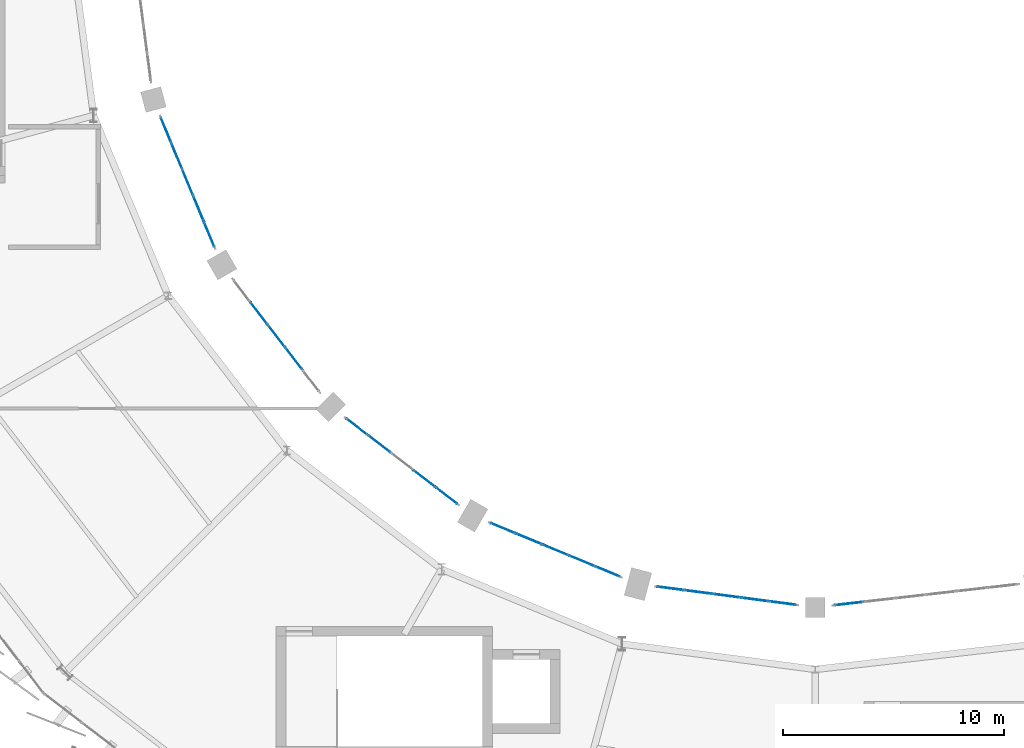
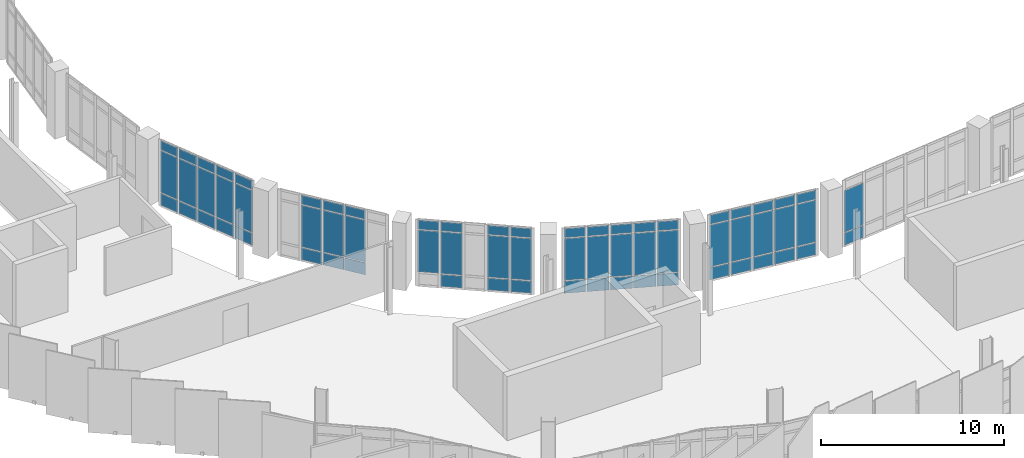
# One storey, part 48 of 67: 67 plates, 6 elements without a shape of their own.
"""IFC4 building model written with IfcOpenShell, lengths in metres."""

from ifc_helpers import new_model, si_unit, direction, frame, origin, origin_2d, place, context, subcontext, project, spatial, rectangle, extrude, material, layer, layer_set, type_object, element, aggregate, save


model = new_model("IFC4")

# Units and contexts
model_context = context("Model", 3, precision=1e-05, world=origin(), true_north=direction((0.0, 1.0)))
body_context = subcontext(model_context, "Body", "Model", "MODEL_VIEW")
ifc_project = project(units=[si_unit("LENGTHUNIT", "METRE"), si_unit("AREAUNIT", "SQUARE_METRE"), si_unit("VOLUMEUNIT", "CUBIC_METRE"), si_unit("PLANEANGLEUNIT", "RADIAN"), si_unit("MASSUNIT", "GRAM", prefix="KILO")], contexts=[model_context])

# Site, building, storey
site_placement = place(None, origin())
site = spatial("IfcSite", under=ifc_project, at=site_placement, CompositionType="ELEMENT")
building_placement = place(site_placement, origin())
building = spatial("IfcBuilding", under=site, at=building_placement, Name="Sohan Crest Arena", CompositionType="ELEMENT")
storey_placement = place(building_placement, frame((0.0, 0.0, 22.5)))
storey = spatial("IfcBuildingStorey", under=building, at=storey_placement, Name="L05", CompositionType="ELEMENT", Elevation=22.5)

# Curtain wall, plates
ifc_material_1 = material(Name="Thermally broken anodised aluminium", Category="aluminium")
ifc_layer_1 = layer(ifc_material_1, 0.18994140625, Name="Thermally broken anodised aluminium")
ifc_layer_set_1 = layer_set([ifc_layer_1], Name="Thermally broken anodised aluminium")
curtain_wall_type = type_object("IfcCurtainWallType", Name="ARC-CW05", PredefinedType="NOTDEFINED", material=ifc_layer_set_1)
curtain_wall_1_placement = place(storey_placement, origin())
curtain_wall_1 = element("IfcCurtainWall", 1, at=curtain_wall_1_placement, inside=storey, type_object=curtain_wall_type, Name="Unitised curtain wall CW-178", PredefinedType="NOTDEFINED")
ifc_material_2 = material(Name="Ceramic-fritted solar-control insulated glass", Category="glass")
ifc_layer_2 = layer(ifc_material_2, 0.035888671875, Name="Ceramic-fritted solar-control insulated glass")
ifc_layer_set_2 = layer_set([ifc_layer_2], Name="Ceramic-fritted solar-control insulated glass")
plate_type = type_object("IfcPlateType", Name="ARC-CNP03", PredefinedType="CURTAIN_PANEL", material=ifc_layer_set_2)
plate_1_placement = place(storey_placement, frame((68.62353515625, 68.606689453125, 0.06494140625), z_axis=(0.0, 0.0, 1.0), x_axis=(0.382666625357, -0.923886494023, 0.0)))
plate_1 = element("IfcPlate", 2, at=plate_1_placement, type_object=plate_type, Name="CW-178 panel 1.1", PredefinedType="CURTAIN_PANEL", context=body_context, shape_type="SweptSolid", body=[
    extrude(rectangle(XDim=1.185302734375, YDim=0.035888671875, at=origin_2d()), origin(), (0.0, 0.0, 1.0), 0.802490234375),
])
plate_2_placement = place(storey_placement, frame((68.62353515625, 68.606689453125, 0.9326171875), z_axis=(0.0, 0.0, 1.0), x_axis=(0.382666625357, -0.923886494023, 0.0)))
plate_2 = element("IfcPlate", 3, at=plate_2_placement, type_object=plate_type, Name="CW-178 panel 1.2", PredefinedType="CURTAIN_PANEL", context=body_context, shape_type="SweptSolid", body=[
    extrude(rectangle(XDim=1.185302734375, YDim=0.035888671875, at=origin_2d()), origin(), (0.0, 0.0, 1.0), 2.784912109375),
])
plate_3_placement = place(storey_placement, frame((68.62353515625, 68.606689453125, 3.782470703125), z_axis=(0.0, 0.0, 1.0), x_axis=(0.382666625357, -0.923886494023, 0.0)))
plate_3 = element("IfcPlate", 4, at=plate_3_placement, type_object=plate_type, Name="CW-178 panel 1.3", PredefinedType="CURTAIN_PANEL", context=body_context, shape_type="SweptSolid", body=[
    extrude(rectangle(XDim=1.185302734375, YDim=0.035888671875, at=origin_2d()), origin(), (0.0, 0.0, 1.0), 0.6025390625),
])
plate_4_placement = place(storey_placement, frame((69.110595703125, 67.4306640625, 0.06494140625), z_axis=(0.0, 0.0, 1.0), x_axis=(0.382666625357, -0.923886494023, 0.0)))
plate_4 = element("IfcPlate", 5, at=plate_4_placement, type_object=plate_type, Name="CW-178 panel 2.1", PredefinedType="CURTAIN_PANEL", context=body_context, shape_type="SweptSolid", body=[
    extrude(rectangle(XDim=1.220458984375, YDim=0.035888671875, at=origin_2d()), origin(), (0.0, 0.0, 1.0), 0.802490234375),
])
plate_5_placement = place(storey_placement, frame((69.110595703125, 67.4306640625, 0.9326171875), z_axis=(0.0, 0.0, 1.0), x_axis=(0.382666625357, -0.923886494023, 0.0)))
plate_5 = element("IfcPlate", 6, at=plate_5_placement, type_object=plate_type, Name="CW-178 panel 2.2", PredefinedType="CURTAIN_PANEL", context=body_context, shape_type="SweptSolid", body=[
    extrude(rectangle(XDim=1.220458984375, YDim=0.035888671875, at=origin_2d()), origin(), (0.0, 0.0, 1.0), 2.784912109375),
])
plate_6_placement = place(storey_placement, frame((69.110595703125, 67.4306640625, 3.782470703125), z_axis=(0.0, 0.0, 1.0), x_axis=(0.382666625357, -0.923886494023, 0.0)))
plate_6 = element("IfcPlate", 7, at=plate_6_placement, type_object=plate_type, Name="CW-178 panel 2.3", PredefinedType="CURTAIN_PANEL", context=body_context, shape_type="SweptSolid", body=[
    extrude(rectangle(XDim=1.220458984375, YDim=0.035888671875, at=origin_2d()), origin(), (0.0, 0.0, 1.0), 0.6025390625),
])
plate_7_placement = place(storey_placement, frame((69.6044921875, 66.238525390625, 0.06494140625), z_axis=(0.0, 0.0, 1.0), x_axis=(0.382666625357, -0.923886494023, 0.0)))
plate_7 = element("IfcPlate", 8, at=plate_7_placement, type_object=plate_type, Name="CW-178 panel 3.1", PredefinedType="CURTAIN_PANEL", context=body_context, shape_type="SweptSolid", body=[
    extrude(rectangle(XDim=1.220458984375, YDim=0.035888671875, at=origin_2d()), origin(), (0.0, 0.0, 1.0), 0.802490234375),
])
plate_8_placement = place(storey_placement, frame((69.6044921875, 66.238525390625, 0.9326171875), z_axis=(0.0, 0.0, 1.0), x_axis=(0.382666625357, -0.923886494023, 0.0)))
plate_8 = element("IfcPlate", 9, at=plate_8_placement, type_object=plate_type, Name="CW-178 panel 3.2", PredefinedType="CURTAIN_PANEL", context=body_context, shape_type="SweptSolid", body=[
    extrude(rectangle(XDim=1.220458984375, YDim=0.035888671875, at=origin_2d()), origin(), (0.0, 0.0, 1.0), 2.784912109375),
])
plate_9_placement = place(storey_placement, frame((69.6044921875, 66.238525390625, 3.782470703125), z_axis=(0.0, 0.0, 1.0), x_axis=(0.382666625357, -0.923886494023, 0.0)))
plate_9 = element("IfcPlate", 10, at=plate_9_placement, type_object=plate_type, Name="CW-178 panel 3.3", PredefinedType="CURTAIN_PANEL", context=body_context, shape_type="SweptSolid", body=[
    extrude(rectangle(XDim=1.220458984375, YDim=0.035888671875, at=origin_2d()), origin(), (0.0, 0.0, 1.0), 0.6025390625),
])
plate_10_placement = place(storey_placement, frame((70.098388671875, 65.04638671875, 0.06494140625), z_axis=(0.0, 0.0, 1.0), x_axis=(0.382666625357, -0.923886494023, 0.0)))
plate_10 = element("IfcPlate", 11, at=plate_10_placement, type_object=plate_type, Name="CW-178 panel 4.1", PredefinedType="CURTAIN_PANEL", context=body_context, shape_type="SweptSolid", body=[
    extrude(rectangle(XDim=1.220458984375, YDim=0.035888671875, at=origin_2d()), origin(), (0.0, 0.0, 1.0), 0.802490234375),
])
plate_11_placement = place(storey_placement, frame((70.098388671875, 65.04638671875, 0.9326171875), z_axis=(0.0, 0.0, 1.0), x_axis=(0.382666625357, -0.923886494023, 0.0)))
plate_11 = element("IfcPlate", 12, at=plate_11_placement, type_object=plate_type, Name="CW-178 panel 4.2", PredefinedType="CURTAIN_PANEL", context=body_context, shape_type="SweptSolid", body=[
    extrude(rectangle(XDim=1.220458984375, YDim=0.035888671875, at=origin_2d()), origin(), (0.0, 0.0, 1.0), 2.784912109375),
])
plate_12_placement = place(storey_placement, frame((70.098388671875, 65.04638671875, 3.782470703125), z_axis=(0.0, 0.0, 1.0), x_axis=(0.382666625357, -0.923886494023, 0.0)))
plate_12 = element("IfcPlate", 13, at=plate_12_placement, type_object=plate_type, Name="CW-178 panel 4.3", PredefinedType="CURTAIN_PANEL", context=body_context, shape_type="SweptSolid", body=[
    extrude(rectangle(XDim=1.220458984375, YDim=0.035888671875, at=origin_2d()), origin(), (0.0, 0.0, 1.0), 0.6025390625),
])
plate_13_placement = place(storey_placement, frame((70.58544921875, 63.870361328125, 0.06494140625), z_axis=(0.0, 0.0, 1.0), x_axis=(0.382666625357, -0.923886494023, 0.0)))
plate_13 = element("IfcPlate", 14, at=plate_13_placement, type_object=plate_type, Name="CW-178 panel 5.1", PredefinedType="CURTAIN_PANEL", context=body_context, shape_type="SweptSolid", body=[
    extrude(rectangle(XDim=1.185302734375, YDim=0.035888671875, at=origin_2d()), origin(), (0.0, 0.0, 1.0), 0.802490234375),
])
plate_14_placement = place(storey_placement, frame((70.58544921875, 63.870361328125, 0.9326171875), z_axis=(0.0, 0.0, 1.0), x_axis=(0.382666625357, -0.923886494023, 0.0)))
plate_14 = element("IfcPlate", 15, at=plate_14_placement, type_object=plate_type, Name="CW-178 panel 5.2", PredefinedType="CURTAIN_PANEL", context=body_context, shape_type="SweptSolid", body=[
    extrude(rectangle(XDim=1.185302734375, YDim=0.035888671875, at=origin_2d()), origin(), (0.0, 0.0, 1.0), 2.784912109375),
])
plate_15_placement = place(storey_placement, frame((70.58544921875, 63.870361328125, 3.782470703125), z_axis=(0.0, 0.0, 1.0), x_axis=(0.382666625357, -0.923886494023, 0.0)))
plate_15 = element("IfcPlate", 16, at=plate_15_placement, type_object=plate_type, Name="CW-178 panel 5.3", PredefinedType="CURTAIN_PANEL", context=body_context, shape_type="SweptSolid", body=[
    extrude(rectangle(XDim=1.185302734375, YDim=0.035888671875, at=origin_2d()), origin(), (0.0, 0.0, 1.0), 0.6025390625),
])
aggregate(curtain_wall_1, [plate_1, plate_2, plate_3, plate_4, plate_5, plate_6, plate_7, plate_8, plate_9, plate_10, plate_11, plate_12, plate_13, plate_14, plate_15])

curtain_wall_2_placement = place(storey_placement, origin())
curtain_wall_2 = element("IfcCurtainWall", 17, at=curtain_wall_2_placement, inside=storey, type_object=curtain_wall_type, Name="Unitised curtain wall CW-180", PredefinedType="NOTDEFINED")
plate_16_placement = place(storey_placement, frame((72.830810546875, 60.313720703125, 0.06494140625), z_axis=(0.0, 0.0, 1.0), x_axis=(0.608939000248, -0.793217053508, 0.0)))
plate_16 = element("IfcPlate", 18, at=plate_16_placement, type_object=plate_type, Name="CW-180 panel 2.1", PredefinedType="CURTAIN_PANEL", context=body_context, shape_type="SweptSolid", body=[
    extrude(rectangle(XDim=1.220458984375, YDim=0.035888671875, at=origin_2d()), origin(), (0.0, 0.0, 1.0), 0.802490234375),
])
plate_17_placement = place(storey_placement, frame((72.830810546875, 60.313720703125, 0.9326171875), z_axis=(0.0, 0.0, 1.0), x_axis=(0.608939000248, -0.793217053508, 0.0)))
plate_17 = element("IfcPlate", 19, at=plate_17_placement, type_object=plate_type, Name="CW-180 panel 2.2", PredefinedType="CURTAIN_PANEL", context=body_context, shape_type="SweptSolid", body=[
    extrude(rectangle(XDim=1.220458984375, YDim=0.035888671875, at=origin_2d()), origin(), (0.0, 0.0, 1.0), 2.784912109375),
])
plate_18_placement = place(storey_placement, frame((72.830810546875, 60.313720703125, 3.782470703125), z_axis=(0.0, 0.0, 1.0), x_axis=(0.608939000248, -0.793217053508, 0.0)))
plate_18 = element("IfcPlate", 20, at=plate_18_placement, type_object=plate_type, Name="CW-180 panel 2.3", PredefinedType="CURTAIN_PANEL", context=body_context, shape_type="SweptSolid", body=[
    extrude(rectangle(XDim=1.220458984375, YDim=0.035888671875, at=origin_2d()), origin(), (0.0, 0.0, 1.0), 0.6025390625),
])
plate_19_placement = place(storey_placement, frame((73.616455078125, 59.2900390625, 0.06494140625), z_axis=(0.0, 0.0, 1.0), x_axis=(0.608939000248, -0.793217053508, 0.0)))
plate_19 = element("IfcPlate", 21, at=plate_19_placement, type_object=plate_type, Name="CW-180 panel 3.1", PredefinedType="CURTAIN_PANEL", context=body_context, shape_type="SweptSolid", body=[
    extrude(rectangle(XDim=1.220458984375, YDim=0.035888671875, at=origin_2d()), origin(), (0.0, 0.0, 1.0), 0.802490234375),
])
plate_20_placement = place(storey_placement, frame((73.616455078125, 59.2900390625, 0.9326171875), z_axis=(0.0, 0.0, 1.0), x_axis=(0.608939000248, -0.793217053508, 0.0)))
plate_20 = element("IfcPlate", 22, at=plate_20_placement, type_object=plate_type, Name="CW-180 panel 3.2", PredefinedType="CURTAIN_PANEL", context=body_context, shape_type="SweptSolid", body=[
    extrude(rectangle(XDim=1.220458984375, YDim=0.035888671875, at=origin_2d()), origin(), (0.0, 0.0, 1.0), 2.784912109375),
])
plate_21_placement = place(storey_placement, frame((73.616455078125, 59.2900390625, 3.782470703125), z_axis=(0.0, 0.0, 1.0), x_axis=(0.608939000248, -0.793217053508, 0.0)))
plate_21 = element("IfcPlate", 23, at=plate_21_placement, type_object=plate_type, Name="CW-180 panel 3.3", PredefinedType="CURTAIN_PANEL", context=body_context, shape_type="SweptSolid", body=[
    extrude(rectangle(XDim=1.220458984375, YDim=0.035888671875, at=origin_2d()), origin(), (0.0, 0.0, 1.0), 0.6025390625),
])
plate_22_placement = place(storey_placement, frame((74.40234375, 58.266357421875, 0.06494140625), z_axis=(0.0, 0.0, 1.0), x_axis=(0.608939000248, -0.793217053508, 0.0)))
plate_22 = element("IfcPlate", 24, at=plate_22_placement, type_object=plate_type, Name="CW-180 panel 4.1", PredefinedType="CURTAIN_PANEL", context=body_context, shape_type="SweptSolid", body=[
    extrude(rectangle(XDim=1.220458984375, YDim=0.035888671875, at=origin_2d()), origin(), (0.0, 0.0, 1.0), 0.802490234375),
])
plate_23_placement = place(storey_placement, frame((74.40234375, 58.266357421875, 0.9326171875), z_axis=(0.0, 0.0, 1.0), x_axis=(0.608939000248, -0.793217053508, 0.0)))
plate_23 = element("IfcPlate", 25, at=plate_23_placement, type_object=plate_type, Name="CW-180 panel 4.2", PredefinedType="CURTAIN_PANEL", context=body_context, shape_type="SweptSolid", body=[
    extrude(rectangle(XDim=1.220458984375, YDim=0.035888671875, at=origin_2d()), origin(), (0.0, 0.0, 1.0), 2.784912109375),
])
plate_24_placement = place(storey_placement, frame((74.40234375, 58.266357421875, 3.782470703125), z_axis=(0.0, 0.0, 1.0), x_axis=(0.608939000248, -0.793217053508, 0.0)))
plate_24 = element("IfcPlate", 26, at=plate_24_placement, type_object=plate_type, Name="CW-180 panel 4.3", PredefinedType="CURTAIN_PANEL", context=body_context, shape_type="SweptSolid", body=[
    extrude(rectangle(XDim=1.220458984375, YDim=0.035888671875, at=origin_2d()), origin(), (0.0, 0.0, 1.0), 0.6025390625),
])
aggregate(curtain_wall_2, [plate_16, plate_17, plate_18, plate_19, plate_20, plate_21, plate_22, plate_23, plate_24])

curtain_wall_3_placement = place(storey_placement, origin())
curtain_wall_3 = element("IfcCurtainWall", 27, at=curtain_wall_3_placement, inside=storey, type_object=curtain_wall_type, Name="Unitised curtain wall CW-182", PredefinedType="NOTDEFINED")
plate_25_placement = place(storey_placement, frame((77.256591796875, 55.177490234375, 0.9326171875), z_axis=(0.0, 0.0, 1.0), x_axis=(0.793217053508, -0.608939000248, 0.0)))
plate_25 = element("IfcPlate", 28, at=plate_25_placement, type_object=plate_type, Name="CW-182 panel 1.2", PredefinedType="CURTAIN_PANEL", context=body_context, shape_type="SweptSolid", body=[
    extrude(rectangle(XDim=1.185546875, YDim=0.035888671875, at=origin_2d()), origin(), (0.0, 0.0, 1.0), 2.784912109375),
])
plate_26_placement = place(storey_placement, frame((77.256591796875, 55.177490234375, 3.782470703125), z_axis=(0.0, 0.0, 1.0), x_axis=(0.793217053508, -0.608939000248, 0.0)))
plate_26 = element("IfcPlate", 29, at=plate_26_placement, type_object=plate_type, Name="CW-182 panel 1.3", PredefinedType="CURTAIN_PANEL", context=body_context, shape_type="SweptSolid", body=[
    extrude(rectangle(XDim=1.185546875, YDim=0.035888671875, at=origin_2d()), origin(), (0.0, 0.0, 1.0), 0.6025390625),
])
plate_27_placement = place(storey_placement, frame((78.266357421875, 54.40234375, 0.06494140625), z_axis=(0.0, 0.0, 1.0), x_axis=(0.793217053508, -0.608939000248, 0.0)))
plate_27 = element("IfcPlate", 30, at=plate_27_placement, type_object=plate_type, Name="CW-182 panel 2.1", PredefinedType="CURTAIN_PANEL", context=body_context, shape_type="SweptSolid", body=[
    extrude(rectangle(XDim=1.220458984375, YDim=0.035888671875, at=origin_2d()), origin(), (0.0, 0.0, 1.0), 0.802490234375),
])
plate_28_placement = place(storey_placement, frame((78.266357421875, 54.40234375, 0.9326171875), z_axis=(0.0, 0.0, 1.0), x_axis=(0.793217053508, -0.608939000248, 0.0)))
plate_28 = element("IfcPlate", 31, at=plate_28_placement, type_object=plate_type, Name="CW-182 panel 2.2", PredefinedType="CURTAIN_PANEL", context=body_context, shape_type="SweptSolid", body=[
    extrude(rectangle(XDim=1.220458984375, YDim=0.035888671875, at=origin_2d()), origin(), (0.0, 0.0, 1.0), 2.784912109375),
])
plate_29_placement = place(storey_placement, frame((78.266357421875, 54.40234375, 3.782470703125), z_axis=(0.0, 0.0, 1.0), x_axis=(0.793217053508, -0.608939000248, 0.0)))
plate_29 = element("IfcPlate", 32, at=plate_29_placement, type_object=plate_type, Name="CW-182 panel 2.3", PredefinedType="CURTAIN_PANEL", context=body_context, shape_type="SweptSolid", body=[
    extrude(rectangle(XDim=1.220458984375, YDim=0.035888671875, at=origin_2d()), origin(), (0.0, 0.0, 1.0), 0.6025390625),
])
plate_30_placement = place(storey_placement, frame((80.313720703125, 52.830810546875, 0.06494140625), z_axis=(0.0, 0.0, 1.0), x_axis=(0.793217053508, -0.608939000248, 0.0)))
plate_30 = element("IfcPlate", 33, at=plate_30_placement, type_object=plate_type, Name="CW-182 panel 4.1", PredefinedType="CURTAIN_PANEL", context=body_context, shape_type="SweptSolid", body=[
    extrude(rectangle(XDim=1.220458984375, YDim=0.035888671875, at=origin_2d()), origin(), (0.0, 0.0, 1.0), 0.802490234375),
])
plate_31_placement = place(storey_placement, frame((80.313720703125, 52.830810546875, 0.9326171875), z_axis=(0.0, 0.0, 1.0), x_axis=(0.793217053508, -0.608939000248, 0.0)))
plate_31 = element("IfcPlate", 34, at=plate_31_placement, type_object=plate_type, Name="CW-182 panel 4.2", PredefinedType="CURTAIN_PANEL", context=body_context, shape_type="SweptSolid", body=[
    extrude(rectangle(XDim=1.220458984375, YDim=0.035888671875, at=origin_2d()), origin(), (0.0, 0.0, 1.0), 2.784912109375),
])
plate_32_placement = place(storey_placement, frame((80.313720703125, 52.830810546875, 3.782470703125), z_axis=(0.0, 0.0, 1.0), x_axis=(0.793217053508, -0.608939000248, 0.0)))
plate_32 = element("IfcPlate", 35, at=plate_32_placement, type_object=plate_type, Name="CW-182 panel 4.3", PredefinedType="CURTAIN_PANEL", context=body_context, shape_type="SweptSolid", body=[
    extrude(rectangle(XDim=1.220458984375, YDim=0.035888671875, at=origin_2d()), origin(), (0.0, 0.0, 1.0), 0.6025390625),
])
plate_33_placement = place(storey_placement, frame((81.3232421875, 52.0556640625, 0.06494140625), z_axis=(0.0, 0.0, 1.0), x_axis=(0.793217053508, -0.608939000248, 0.0)))
plate_33 = element("IfcPlate", 36, at=plate_33_placement, type_object=plate_type, Name="CW-182 panel 5.1", PredefinedType="CURTAIN_PANEL", context=body_context, shape_type="SweptSolid", body=[
    extrude(rectangle(XDim=1.185546875, YDim=0.035888671875, at=origin_2d()), origin(), (0.0, 0.0, 1.0), 0.802490234375),
])
plate_34_placement = place(storey_placement, frame((81.3232421875, 52.0556640625, 0.9326171875), z_axis=(0.0, 0.0, 1.0), x_axis=(0.793217053508, -0.608939000248, 0.0)))
plate_34 = element("IfcPlate", 37, at=plate_34_placement, type_object=plate_type, Name="CW-182 panel 5.2", PredefinedType="CURTAIN_PANEL", context=body_context, shape_type="SweptSolid", body=[
    extrude(rectangle(XDim=1.185546875, YDim=0.035888671875, at=origin_2d()), origin(), (0.0, 0.0, 1.0), 2.784912109375),
])
plate_35_placement = place(storey_placement, frame((81.3232421875, 52.0556640625, 3.782470703125), z_axis=(0.0, 0.0, 1.0), x_axis=(0.793217053508, -0.608939000248, 0.0)))
plate_35 = element("IfcPlate", 38, at=plate_35_placement, type_object=plate_type, Name="CW-182 panel 5.3", PredefinedType="CURTAIN_PANEL", context=body_context, shape_type="SweptSolid", body=[
    extrude(rectangle(XDim=1.185546875, YDim=0.035888671875, at=origin_2d()), origin(), (0.0, 0.0, 1.0), 0.6025390625),
])
aggregate(curtain_wall_3, [plate_25, plate_26, plate_27, plate_28, plate_29, plate_30, plate_31, plate_32, plate_33, plate_34, plate_35])

curtain_wall_4_placement = place(storey_placement, origin())
curtain_wall_4 = element("IfcCurtainWall", 39, at=curtain_wall_4_placement, inside=storey, type_object=curtain_wall_type, Name="Unitised curtain wall CW-184", PredefinedType="NOTDEFINED")
plate_36_placement = place(storey_placement, frame((83.870361328125, 50.58544921875, 0.06494140625), z_axis=(0.0, 0.0, 1.0), x_axis=(0.923886494023, -0.382666625357, 0.0)))
plate_36 = element("IfcPlate", 40, at=plate_36_placement, type_object=plate_type, Name="CW-184 panel 1.1", PredefinedType="CURTAIN_PANEL", context=body_context, shape_type="SweptSolid", body=[
    extrude(rectangle(XDim=1.185302734375, YDim=0.035888671875, at=origin_2d()), origin(), (0.0, 0.0, 1.0), 0.802490234375),
])
plate_37_placement = place(storey_placement, frame((83.870361328125, 50.58544921875, 0.9326171875), z_axis=(0.0, 0.0, 1.0), x_axis=(0.923886494023, -0.382666625357, 0.0)))
plate_37 = element("IfcPlate", 41, at=plate_37_placement, type_object=plate_type, Name="CW-184 panel 1.2", PredefinedType="CURTAIN_PANEL", context=body_context, shape_type="SweptSolid", body=[
    extrude(rectangle(XDim=1.185302734375, YDim=0.035888671875, at=origin_2d()), origin(), (0.0, 0.0, 1.0), 2.784912109375),
])
plate_38_placement = place(storey_placement, frame((83.870361328125, 50.58544921875, 3.782470703125), z_axis=(0.0, 0.0, 1.0), x_axis=(0.923886494023, -0.382666625357, 0.0)))
plate_38 = element("IfcPlate", 42, at=plate_38_placement, type_object=plate_type, Name="CW-184 panel 1.3", PredefinedType="CURTAIN_PANEL", context=body_context, shape_type="SweptSolid", body=[
    extrude(rectangle(XDim=1.185302734375, YDim=0.035888671875, at=origin_2d()), origin(), (0.0, 0.0, 1.0), 0.6025390625),
])
plate_39_placement = place(storey_placement, frame((85.04638671875, 50.098388671875, 0.06494140625), z_axis=(0.0, 0.0, 1.0), x_axis=(0.923886494023, -0.382666625357, 0.0)))
plate_39 = element("IfcPlate", 43, at=plate_39_placement, type_object=plate_type, Name="CW-184 panel 2.1", PredefinedType="CURTAIN_PANEL", context=body_context, shape_type="SweptSolid", body=[
    extrude(rectangle(XDim=1.220458984375, YDim=0.035888671875, at=origin_2d()), origin(), (0.0, 0.0, 1.0), 0.802490234375),
])
plate_40_placement = place(storey_placement, frame((85.04638671875, 50.098388671875, 0.9326171875), z_axis=(0.0, 0.0, 1.0), x_axis=(0.923886494023, -0.382666625357, 0.0)))
plate_40 = element("IfcPlate", 44, at=plate_40_placement, type_object=plate_type, Name="CW-184 panel 2.2", PredefinedType="CURTAIN_PANEL", context=body_context, shape_type="SweptSolid", body=[
    extrude(rectangle(XDim=1.220458984375, YDim=0.035888671875, at=origin_2d()), origin(), (0.0, 0.0, 1.0), 2.784912109375),
])
plate_41_placement = place(storey_placement, frame((85.04638671875, 50.098388671875, 3.782470703125), z_axis=(0.0, 0.0, 1.0), x_axis=(0.923886494023, -0.382666625357, 0.0)))
plate_41 = element("IfcPlate", 45, at=plate_41_placement, type_object=plate_type, Name="CW-184 panel 2.3", PredefinedType="CURTAIN_PANEL", context=body_context, shape_type="SweptSolid", body=[
    extrude(rectangle(XDim=1.220458984375, YDim=0.035888671875, at=origin_2d()), origin(), (0.0, 0.0, 1.0), 0.6025390625),
])
plate_42_placement = place(storey_placement, frame((86.238525390625, 49.6044921875, 0.06494140625), z_axis=(0.0, 0.0, 1.0), x_axis=(0.923886494023, -0.382666625357, 0.0)))
plate_42 = element("IfcPlate", 46, at=plate_42_placement, type_object=plate_type, Name="CW-184 panel 3.1", PredefinedType="CURTAIN_PANEL", context=body_context, shape_type="SweptSolid", body=[
    extrude(rectangle(XDim=1.220458984375, YDim=0.035888671875, at=origin_2d()), origin(), (0.0, 0.0, 1.0), 0.802490234375),
])
plate_43_placement = place(storey_placement, frame((86.238525390625, 49.6044921875, 0.9326171875), z_axis=(0.0, 0.0, 1.0), x_axis=(0.923886494023, -0.382666625357, 0.0)))
plate_43 = element("IfcPlate", 47, at=plate_43_placement, type_object=plate_type, Name="CW-184 panel 3.2", PredefinedType="CURTAIN_PANEL", context=body_context, shape_type="SweptSolid", body=[
    extrude(rectangle(XDim=1.220458984375, YDim=0.035888671875, at=origin_2d()), origin(), (0.0, 0.0, 1.0), 2.784912109375),
])
plate_44_placement = place(storey_placement, frame((86.238525390625, 49.6044921875, 3.782470703125), z_axis=(0.0, 0.0, 1.0), x_axis=(0.923886494023, -0.382666625357, 0.0)))
plate_44 = element("IfcPlate", 48, at=plate_44_placement, type_object=plate_type, Name="CW-184 panel 3.3", PredefinedType="CURTAIN_PANEL", context=body_context, shape_type="SweptSolid", body=[
    extrude(rectangle(XDim=1.220458984375, YDim=0.035888671875, at=origin_2d()), origin(), (0.0, 0.0, 1.0), 0.6025390625),
])
plate_45_placement = place(storey_placement, frame((87.4306640625, 49.110595703125, 0.06494140625), z_axis=(0.0, 0.0, 1.0), x_axis=(0.923886494023, -0.382666625357, 0.0)))
plate_45 = element("IfcPlate", 49, at=plate_45_placement, type_object=plate_type, Name="CW-184 panel 4.1", PredefinedType="CURTAIN_PANEL", context=body_context, shape_type="SweptSolid", body=[
    extrude(rectangle(XDim=1.220458984375, YDim=0.035888671875, at=origin_2d()), origin(), (0.0, 0.0, 1.0), 0.802490234375),
])
plate_46_placement = place(storey_placement, frame((87.4306640625, 49.110595703125, 0.9326171875), z_axis=(0.0, 0.0, 1.0), x_axis=(0.923886494023, -0.382666625357, 0.0)))
plate_46 = element("IfcPlate", 50, at=plate_46_placement, type_object=plate_type, Name="CW-184 panel 4.2", PredefinedType="CURTAIN_PANEL", context=body_context, shape_type="SweptSolid", body=[
    extrude(rectangle(XDim=1.220458984375, YDim=0.035888671875, at=origin_2d()), origin(), (0.0, 0.0, 1.0), 2.784912109375),
])
plate_47_placement = place(storey_placement, frame((87.4306640625, 49.110595703125, 3.782470703125), z_axis=(0.0, 0.0, 1.0), x_axis=(0.923886494023, -0.382666625357, 0.0)))
plate_47 = element("IfcPlate", 51, at=plate_47_placement, type_object=plate_type, Name="CW-184 panel 4.3", PredefinedType="CURTAIN_PANEL", context=body_context, shape_type="SweptSolid", body=[
    extrude(rectangle(XDim=1.220458984375, YDim=0.035888671875, at=origin_2d()), origin(), (0.0, 0.0, 1.0), 0.6025390625),
])
plate_48_placement = place(storey_placement, frame((88.606689453125, 48.62353515625, 0.06494140625), z_axis=(0.0, 0.0, 1.0), x_axis=(0.923886494023, -0.382666625357, 0.0)))
plate_48 = element("IfcPlate", 52, at=plate_48_placement, type_object=plate_type, Name="CW-184 panel 5.1", PredefinedType="CURTAIN_PANEL", context=body_context, shape_type="SweptSolid", body=[
    extrude(rectangle(XDim=1.185302734375, YDim=0.035888671875, at=origin_2d()), origin(), (0.0, 0.0, 1.0), 0.802490234375),
])
plate_49_placement = place(storey_placement, frame((88.606689453125, 48.62353515625, 0.9326171875), z_axis=(0.0, 0.0, 1.0), x_axis=(0.923886494023, -0.382666625357, 0.0)))
plate_49 = element("IfcPlate", 53, at=plate_49_placement, type_object=plate_type, Name="CW-184 panel 5.2", PredefinedType="CURTAIN_PANEL", context=body_context, shape_type="SweptSolid", body=[
    extrude(rectangle(XDim=1.185302734375, YDim=0.035888671875, at=origin_2d()), origin(), (0.0, 0.0, 1.0), 2.784912109375),
])
plate_50_placement = place(storey_placement, frame((88.606689453125, 48.62353515625, 3.782470703125), z_axis=(0.0, 0.0, 1.0), x_axis=(0.923886494023, -0.382666625357, 0.0)))
plate_50 = element("IfcPlate", 54, at=plate_50_placement, type_object=plate_type, Name="CW-184 panel 5.3", PredefinedType="CURTAIN_PANEL", context=body_context, shape_type="SweptSolid", body=[
    extrude(rectangle(XDim=1.185302734375, YDim=0.035888671875, at=origin_2d()), origin(), (0.0, 0.0, 1.0), 0.6025390625),
])
aggregate(curtain_wall_4, [plate_36, plate_37, plate_38, plate_39, plate_40, plate_41, plate_42, plate_43, plate_44, plate_45, plate_46, plate_47, plate_48, plate_49, plate_50])

curtain_wall_5_placement = place(storey_placement, origin())
curtain_wall_5 = element("IfcCurtainWall", 55, at=curtain_wall_5_placement, inside=storey, type_object=curtain_wall_type, Name="Unitised curtain wall CW-186", PredefinedType="NOTDEFINED")
plate_51_placement = place(storey_placement, frame((91.447021484375, 47.862548828125, 0.06494140625), z_axis=(0.0, 0.0, 1.0), x_axis=(0.991448491802, -0.130498613419, 0.0)))
plate_51 = element("IfcPlate", 56, at=plate_51_placement, type_object=plate_type, Name="CW-186 panel 1.1", PredefinedType="CURTAIN_PANEL", context=body_context, shape_type="SweptSolid", body=[
    extrude(rectangle(XDim=1.185546875, YDim=0.035888671875, at=origin_2d()), origin(), (0.0, 0.0, 1.0), 0.802490234375),
])
plate_52_placement = place(storey_placement, frame((91.447021484375, 47.862548828125, 0.9326171875), z_axis=(0.0, 0.0, 1.0), x_axis=(0.991448491802, -0.130498613419, 0.0)))
plate_52 = element("IfcPlate", 57, at=plate_52_placement, type_object=plate_type, Name="CW-186 panel 1.2", PredefinedType="CURTAIN_PANEL", context=body_context, shape_type="SweptSolid", body=[
    extrude(rectangle(XDim=1.185546875, YDim=0.035888671875, at=origin_2d()), origin(), (0.0, 0.0, 1.0), 2.784912109375),
])
plate_53_placement = place(storey_placement, frame((91.447021484375, 47.862548828125, 3.782470703125), z_axis=(0.0, 0.0, 1.0), x_axis=(0.991448491802, -0.130498613419, 0.0)))
plate_53 = element("IfcPlate", 58, at=plate_53_placement, type_object=plate_type, Name="CW-186 panel 1.3", PredefinedType="CURTAIN_PANEL", context=body_context, shape_type="SweptSolid", body=[
    extrude(rectangle(XDim=1.185546875, YDim=0.035888671875, at=origin_2d()), origin(), (0.0, 0.0, 1.0), 0.6025390625),
])
plate_54_placement = place(storey_placement, frame((92.708984375, 47.6962890625, 0.06494140625), z_axis=(0.0, 0.0, 1.0), x_axis=(0.991448491802, -0.130498613419, 0.0)))
plate_54 = element("IfcPlate", 59, at=plate_54_placement, type_object=plate_type, Name="CW-186 panel 2.1", PredefinedType="CURTAIN_PANEL", context=body_context, shape_type="SweptSolid", body=[
    extrude(rectangle(XDim=1.220458984375, YDim=0.035888671875, at=origin_2d()), origin(), (0.0, 0.0, 1.0), 0.802490234375),
])
plate_55_placement = place(storey_placement, frame((92.708984375, 47.6962890625, 0.9326171875), z_axis=(0.0, 0.0, 1.0), x_axis=(0.991448491802, -0.130498613419, 0.0)))
plate_55 = element("IfcPlate", 60, at=plate_55_placement, type_object=plate_type, Name="CW-186 panel 2.2", PredefinedType="CURTAIN_PANEL", context=body_context, shape_type="SweptSolid", body=[
    extrude(rectangle(XDim=1.220458984375, YDim=0.035888671875, at=origin_2d()), origin(), (0.0, 0.0, 1.0), 2.784912109375),
])
plate_56_placement = place(storey_placement, frame((92.708984375, 47.6962890625, 3.782470703125), z_axis=(0.0, 0.0, 1.0), x_axis=(0.991448491802, -0.130498613419, 0.0)))
plate_56 = element("IfcPlate", 61, at=plate_56_placement, type_object=plate_type, Name="CW-186 panel 2.3", PredefinedType="CURTAIN_PANEL", context=body_context, shape_type="SweptSolid", body=[
    extrude(rectangle(XDim=1.220458984375, YDim=0.035888671875, at=origin_2d()), origin(), (0.0, 0.0, 1.0), 0.6025390625),
])
plate_57_placement = place(storey_placement, frame((93.988525390625, 47.528076171875, 0.06494140625), z_axis=(0.0, 0.0, 1.0), x_axis=(0.991448491802, -0.130498613419, 0.0)))
plate_57 = element("IfcPlate", 62, at=plate_57_placement, type_object=plate_type, Name="CW-186 panel 3.1", PredefinedType="CURTAIN_PANEL", context=body_context, shape_type="SweptSolid", body=[
    extrude(rectangle(XDim=1.220458984375, YDim=0.035888671875, at=origin_2d()), origin(), (0.0, 0.0, 1.0), 0.802490234375),
])
plate_58_placement = place(storey_placement, frame((93.988525390625, 47.528076171875, 0.9326171875), z_axis=(0.0, 0.0, 1.0), x_axis=(0.991448491802, -0.130498613419, 0.0)))
plate_58 = element("IfcPlate", 63, at=plate_58_placement, type_object=plate_type, Name="CW-186 panel 3.2", PredefinedType="CURTAIN_PANEL", context=body_context, shape_type="SweptSolid", body=[
    extrude(rectangle(XDim=1.220458984375, YDim=0.035888671875, at=origin_2d()), origin(), (0.0, 0.0, 1.0), 2.784912109375),
])
plate_59_placement = place(storey_placement, frame((93.988525390625, 47.528076171875, 3.782470703125), z_axis=(0.0, 0.0, 1.0), x_axis=(0.991448491802, -0.130498613419, 0.0)))
plate_59 = element("IfcPlate", 64, at=plate_59_placement, type_object=plate_type, Name="CW-186 panel 3.3", PredefinedType="CURTAIN_PANEL", context=body_context, shape_type="SweptSolid", body=[
    extrude(rectangle(XDim=1.220458984375, YDim=0.035888671875, at=origin_2d()), origin(), (0.0, 0.0, 1.0), 0.6025390625),
])
plate_60_placement = place(storey_placement, frame((95.267822265625, 47.359619140625, 0.06494140625), z_axis=(0.0, 0.0, 1.0), x_axis=(0.991448491802, -0.130498613419, 0.0)))
plate_60 = element("IfcPlate", 65, at=plate_60_placement, type_object=plate_type, Name="CW-186 panel 4.1", PredefinedType="CURTAIN_PANEL", context=body_context, shape_type="SweptSolid", body=[
    extrude(rectangle(XDim=1.220458984375, YDim=0.035888671875, at=origin_2d()), origin(), (0.0, 0.0, 1.0), 0.802490234375),
])
plate_61_placement = place(storey_placement, frame((95.267822265625, 47.359619140625, 0.9326171875), z_axis=(0.0, 0.0, 1.0), x_axis=(0.991448491802, -0.130498613419, 0.0)))
plate_61 = element("IfcPlate", 66, at=plate_61_placement, type_object=plate_type, Name="CW-186 panel 4.2", PredefinedType="CURTAIN_PANEL", context=body_context, shape_type="SweptSolid", body=[
    extrude(rectangle(XDim=1.220458984375, YDim=0.035888671875, at=origin_2d()), origin(), (0.0, 0.0, 1.0), 2.784912109375),
])
plate_62_placement = place(storey_placement, frame((95.267822265625, 47.359619140625, 3.782470703125), z_axis=(0.0, 0.0, 1.0), x_axis=(0.991448491802, -0.130498613419, 0.0)))
plate_62 = element("IfcPlate", 67, at=plate_62_placement, type_object=plate_type, Name="CW-186 panel 4.3", PredefinedType="CURTAIN_PANEL", context=body_context, shape_type="SweptSolid", body=[
    extrude(rectangle(XDim=1.220458984375, YDim=0.035888671875, at=origin_2d()), origin(), (0.0, 0.0, 1.0), 0.6025390625),
])
plate_63_placement = place(storey_placement, frame((96.530029296875, 47.193603515625, 0.06494140625), z_axis=(0.0, 0.0, 1.0), x_axis=(0.991448491802, -0.130498613419, 0.0)))
plate_63 = element("IfcPlate", 68, at=plate_63_placement, type_object=plate_type, Name="CW-186 panel 5.1", PredefinedType="CURTAIN_PANEL", context=body_context, shape_type="SweptSolid", body=[
    extrude(rectangle(XDim=1.185546875, YDim=0.035888671875, at=origin_2d()), origin(), (0.0, 0.0, 1.0), 0.802490234375),
])
plate_64_placement = place(storey_placement, frame((96.530029296875, 47.193603515625, 0.9326171875), z_axis=(0.0, 0.0, 1.0), x_axis=(0.991448491802, -0.130498613419, 0.0)))
plate_64 = element("IfcPlate", 69, at=plate_64_placement, type_object=plate_type, Name="CW-186 panel 5.2", PredefinedType="CURTAIN_PANEL", context=body_context, shape_type="SweptSolid", body=[
    extrude(rectangle(XDim=1.185546875, YDim=0.035888671875, at=origin_2d()), origin(), (0.0, 0.0, 1.0), 2.784912109375),
])
plate_65_placement = place(storey_placement, frame((96.530029296875, 47.193603515625, 3.782470703125), z_axis=(0.0, 0.0, 1.0), x_axis=(0.991448491802, -0.130498613419, 0.0)))
plate_65 = element("IfcPlate", 70, at=plate_65_placement, type_object=plate_type, Name="CW-186 panel 5.3", PredefinedType="CURTAIN_PANEL", context=body_context, shape_type="SweptSolid", body=[
    extrude(rectangle(XDim=1.185546875, YDim=0.035888671875, at=origin_2d()), origin(), (0.0, 0.0, 1.0), 0.6025390625),
])
aggregate(curtain_wall_5, [plate_51, plate_52, plate_53, plate_54, plate_55, plate_56, plate_57, plate_58, plate_59, plate_60, plate_61, plate_62, plate_63, plate_64, plate_65])

curtain_wall_6_placement = place(storey_placement, origin())
curtain_wall_6 = element("IfcCurtainWall", 71, at=curtain_wall_6_placement, inside=storey, type_object=curtain_wall_type, Name="Unitised curtain wall CW-188", PredefinedType="NOTDEFINED")
plate_66_placement = place(storey_placement, frame((99.52978515625, 47.1748046875, 0.06494140625), z_axis=(0.0, 0.0, 1.0), x_axis=(0.993526932422, 0.11359680696, 0.0)))
plate_66 = element("IfcPlate", 72, at=plate_66_placement, type_object=plate_type, Name="CW-188 panel 1.1", PredefinedType="CURTAIN_PANEL", context=body_context, shape_type="SweptSolid", body=[
    extrude(rectangle(XDim=1.299072265625, YDim=0.035888671875, at=origin_2d()), origin(), (0.0, 0.0, 1.0), 0.802490234375),
])
plate_67_placement = place(storey_placement, frame((99.52978515625, 47.1748046875, 0.9326171875), z_axis=(0.0, 0.0, 1.0), x_axis=(0.993526932422, 0.11359680696, 0.0)))
plate_67 = element("IfcPlate", 73, at=plate_67_placement, type_object=plate_type, Name="CW-188 panel 1.2", PredefinedType="CURTAIN_PANEL", context=body_context, shape_type="SweptSolid", body=[
    extrude(rectangle(XDim=1.299072265625, YDim=0.035888671875, at=origin_2d()), origin(), (0.0, 0.0, 1.0), 2.784912109375),
])
aggregate(curtain_wall_6, [plate_66, plate_67])

save(model, "model.ifc")
